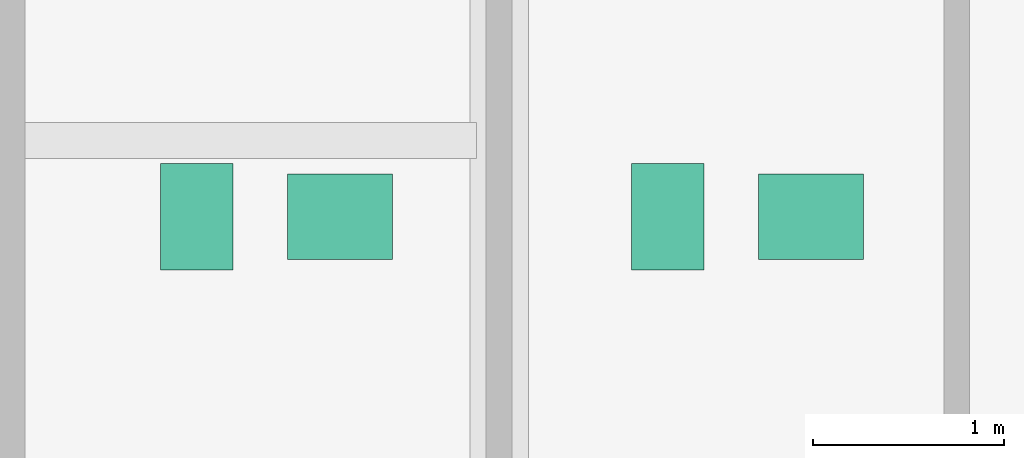
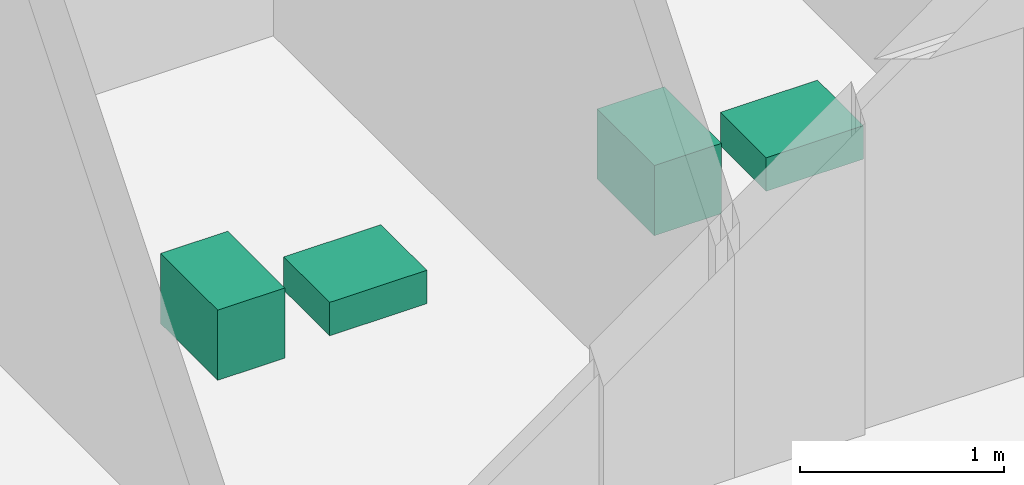
# One storey, part 33 of 33: 4 sanitary terminals.
"""IFC4 building model written with IfcOpenShell, lengths in metres."""

from ifc_helpers import new_model, si_unit, direction, frame, origin, origin_2d, place, context, subcontext, project, spatial, rectangle, extrude, material, type_object, element, save


model = new_model("IFC4")

# Units and contexts
model_context = context("Model", 3, precision=1e-05, world=origin(), true_north=direction((0.0, 1.0)))
body_context = subcontext(model_context, "Body", "Model", "MODEL_VIEW")
ifc_project = project(units=[si_unit("LENGTHUNIT", "METRE"), si_unit("AREAUNIT", "SQUARE_METRE"), si_unit("VOLUMEUNIT", "CUBIC_METRE"), si_unit("PLANEANGLEUNIT", "RADIAN"), si_unit("MASSUNIT", "GRAM", prefix="KILO")], contexts=[model_context])

# Site, building, storey
site_placement = place(None, origin())
site = spatial("IfcSite", under=ifc_project, at=site_placement, CompositionType="ELEMENT")
building_placement = place(site_placement, origin())
building = spatial("IfcBuilding", under=site, at=building_placement, Name="Zuhayl Quay Hotel", CompositionType="ELEMENT")
storey_placement = place(building_placement, frame((0.0, 0.0, 154.050048828125)))
storey = spatial("IfcBuildingStorey", under=building, at=storey_placement, Name="L39", CompositionType="ELEMENT", Elevation=154.050048828125)

# Sanitary terminals
ifc_material = material(Name="Vitreous Porcelain Sanitaryware")
sanitary_terminal_type_1 = type_object("IfcSanitaryTerminalType", Name="SAN_BASIN", PredefinedType="WASHHANDBASIN", material=ifc_material)
for number, where, z_axis, x_axis, name in (
    (1, (12.965087890625, 18.949951171875, 0.0), (0.0, 0.0, 1.0), (1.0, 0.0, 0.0), "L39 Sanitary Fixture WASHHANDBASIN"),
    (2, (15.43505859375, 18.949951171875, 0.0), (0.0, 0.0, 1.0), (1.0, 0.0, 0.0), "L39 Sanitary Fixture WASHHANDBASIN"),
):
    element("IfcSanitaryTerminal", number, at=place(storey_placement, frame(where, z_axis=z_axis, x_axis=x_axis)), inside=storey, type_object=sanitary_terminal_type_1, Name=name, PredefinedType="WASHHANDBASIN", context=body_context, shape_type="SweptSolid", body=[
        extrude(rectangle(XDim=0.550048828125, YDim=0.449951171875, at=origin_2d()), origin(), (0.0, 0.0, 1.0), 0.199951171875),
    ])
sanitary_terminal_type_2 = type_object("IfcSanitaryTerminalType", Name="SAN_WC", PredefinedType="TOILETPAN", material=ifc_material)
for number, where, z_axis, x_axis, name in (
    (3, (12.215087890625, 18.949951171875, 0.0), (0.0, 0.0, 1.0), (1.0, 0.0, 0.0), "L39 Sanitary Fixture TOILETPAN"),
    (4, (14.68505859375, 18.949951171875, 0.0), (0.0, 0.0, 1.0), (1.0, 0.0, 0.0), "L39 Sanitary Fixture TOILETPAN"),
):
    element("IfcSanitaryTerminal", number, at=place(storey_placement, frame(where, z_axis=z_axis, x_axis=x_axis)), inside=storey, type_object=sanitary_terminal_type_2, Name=name, PredefinedType="TOILETPAN", context=body_context, shape_type="SweptSolid", body=[
        extrude(rectangle(XDim=0.3798828125, YDim=0.56005859375, at=origin_2d()), origin(), (0.0, 0.0, 1.0), 0.419921875),
    ])

save(model, "model.ifc")
